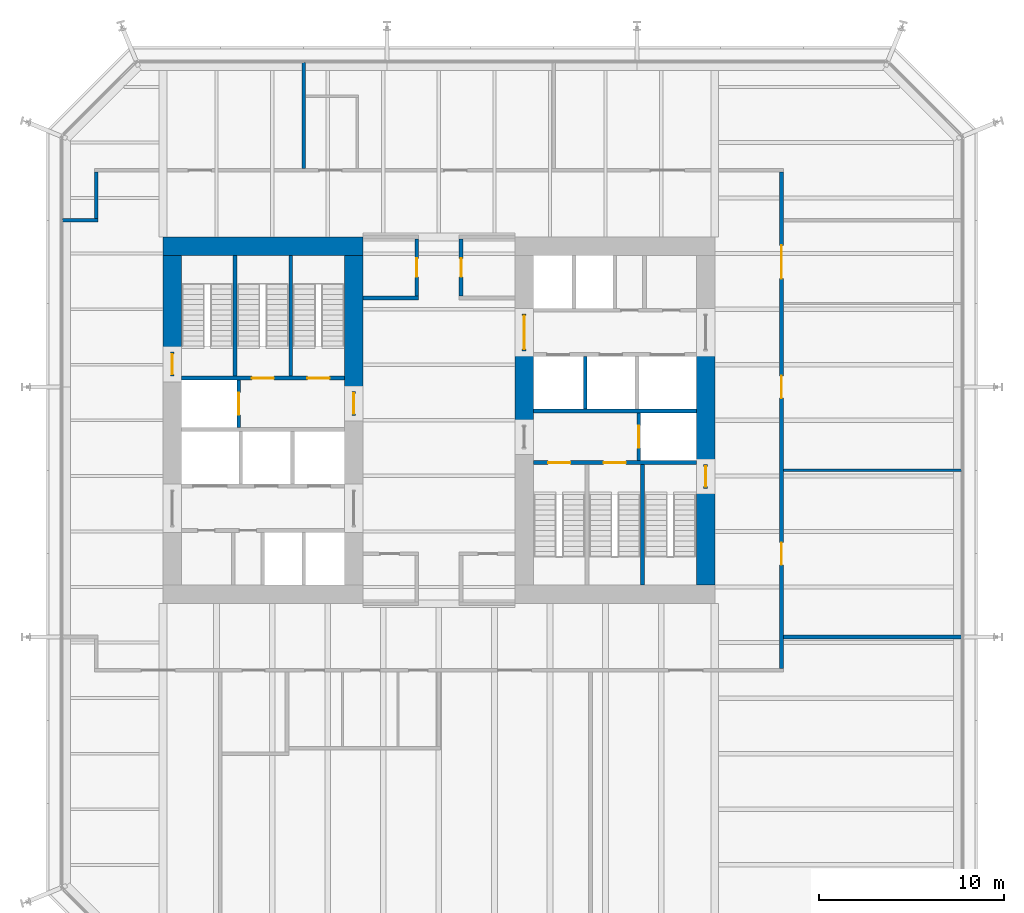
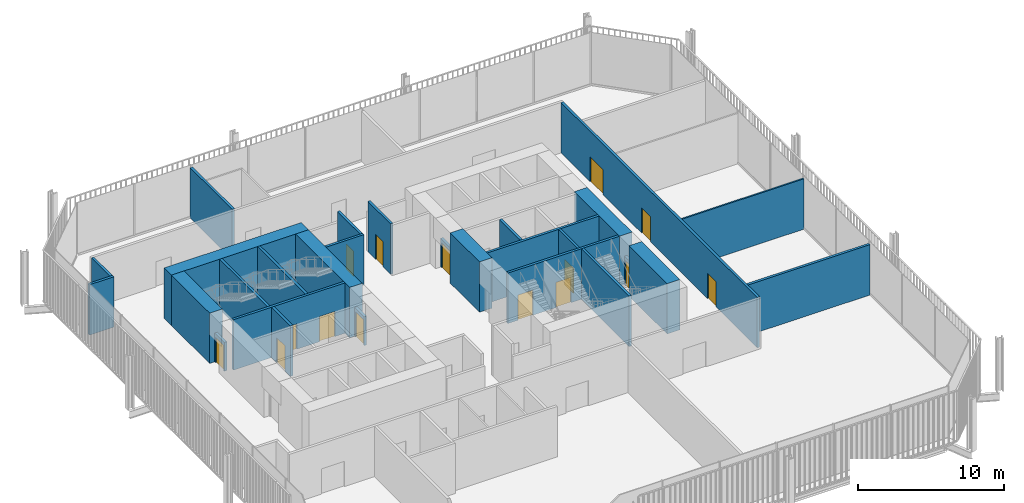
# One storey, part 17 of 20: 28 walls, 15 doors, 15 openings.
"""IFC4 building model written with IfcOpenShell, lengths in metres."""

import ifcopenshell
import ifcopenshell.guid

model = None  # the IFC model being written
_history = None  # IfcOwnerHistory: only IFC2X3 demands one
_inside = {}  # id of a spatial element -> (the spatial element, [elements in it])
_under = {}  # id of a project, library or spatial element -> (it, [spatial elements below it])
_declared = {}  # id of a project -> (the project, [libraries it declares])
_typed = {}  # id of a type object -> (the type object, [elements of that type])
_made_of = {}  # id of a material, layer set ... -> (it, [elements and type objects made of it])


def new_model(schema):
    """Start an empty IFC model of exactly this schema.

    Asked for "IFC4X3", IfcOpenShell would pick the latest addendum, in which some entities
    have other attributes; the version numbers below select the first issue.
    IFC2X3 requires an IfcOwnerHistory on every rooted entity: one is made here for all.
    """
    global model, _history
    if schema == "IFC4X3":
        model = ifcopenshell.file(schema_version=(4, 3, 0, 0))
    else:
        model = ifcopenshell.file(schema=schema)
    _inside.clear()
    _under.clear()
    _declared.clear()
    _typed.clear()
    _made_of.clear()
    _history = None
    if model.schema == "IFC2X3":
        org = make("IfcOrganization", Name="unknown")
        user = make(
            "IfcPersonAndOrganization",
            ThePerson=make("IfcPerson", FamilyName="unknown"),
            TheOrganization=org,
        )
        app = make(
            "IfcApplication",
            ApplicationDeveloper=org,
            Version="unknown",
            ApplicationFullName="unknown",
            ApplicationIdentifier="unknown",
        )
        _history = make(
            "IfcOwnerHistory",
            OwningUser=user,
            OwningApplication=app,
            ChangeAction="ADDED",
            CreationDate=0,
        )
    return model


def make(cls, **values):
    """One entity of the class cls with the attributes given. An attribute that is None is left unset."""
    return model.create_entity(
        cls, **{name: value for name, value in values.items() if value is not None}
    )


def rooted(cls, **values):
    """An entity with a GlobalId (a new one), such as an element, a storey or a relation."""
    return make(cls, GlobalId=ifcopenshell.guid.new(), OwnerHistory=_history, **values)


def si_unit(unit_type, name, prefix=None):
    """IfcSIUnit, for example si_unit("LENGTHUNIT", "METRE", prefix="MILLI")."""
    return make("IfcSIUnit", UnitType=unit_type, Prefix=prefix, Name=name)


def assignment(units):
    """IfcUnitAssignment: the units of a project."""
    return None if units is None else make("IfcUnitAssignment", Units=units)


def point(xyz):
    """IfcCartesianPoint."""
    return None if xyz is None else make("IfcCartesianPoint", Coordinates=xyz)


def direction(xyz):
    """IfcDirection."""
    return None if xyz is None else make("IfcDirection", DirectionRatios=xyz)


def frame(location, z_axis=None, x_axis=None):
    """IfcAxis2Placement3D, a coordinate frame: its origin and axes. An axis left out is left unset."""
    return make(
        "IfcAxis2Placement3D",
        Location=point(location),
        Axis=direction(z_axis),
        RefDirection=direction(x_axis),
    )


def frame_2d(location, x_axis=None):
    """IfcAxis2Placement2D, a coordinate frame in the plane: its origin and x axis."""
    return make(
        "IfcAxis2Placement2D", Location=point(location), RefDirection=direction(x_axis)
    )


def origin():
    """The frame at (0, 0, 0) with its axes left unset."""
    return frame((0.0, 0.0, 0.0))


def place(relative_to, where):
    """IfcLocalPlacement: puts the frame where relative to a parent placement (None: the world)."""
    return make(
        "IfcLocalPlacement", PlacementRelTo=relative_to, RelativePlacement=where
    )


def context(
    kind, dimensions, precision=None, world=None, true_north=None, identifier=None
):
    """IfcGeometricRepresentationContext, for example the 3D "Model" context."""
    return make(
        "IfcGeometricRepresentationContext",
        ContextIdentifier=identifier,
        ContextType=kind,
        CoordinateSpaceDimension=dimensions,
        Precision=precision,
        WorldCoordinateSystem=world,
        TrueNorth=true_north,
    )


def subcontext(parent, identifier, kind, view, scale=None):
    """IfcGeometricRepresentationSubContext, for example "Body" below "Model"."""
    return make(
        "IfcGeometricRepresentationSubContext",
        ContextIdentifier=identifier,
        ContextType=kind,
        ParentContext=parent,
        TargetScale=scale,
        TargetView=view,
    )


def project(units=None, contexts=None):
    """IfcProject with its units and contexts."""
    return rooted(
        "IfcProject",
        Name="project",
        RepresentationContexts=contexts,
        UnitsInContext=assignment(units),
    )


def spatial(cls, under=None, at=None, **own):
    """A site, building, storey or space (cls), placed at a placement, below another one or the project."""
    s = rooted(cls, ObjectPlacement=at, **own)
    if under is not None:
        _under.setdefault(under.id(), (under, []))[1].append(s)
    return s


def profile(cls, at=None, kind="AREA", **sizes):
    """A parametric profile (cls). Its sizes go by their IFC names, for example OverallWidth=200.0."""
    return make(cls, ProfileType=kind, Position=at, **sizes)


def rectangle(**sizes):
    """IfcRectangleProfileDef."""
    return profile("IfcRectangleProfileDef", **sizes)


def extrude(swept, where, along, depth):
    """IfcExtrudedAreaSolid: the profile swept, set in the frame where, extruded along a direction by depth."""
    return make(
        "IfcExtrudedAreaSolid",
        SweptArea=swept,
        Position=where,
        ExtrudedDirection=direction(along),
        Depth=depth,
    )


def shape(context_of_items, identifier, shape_type, items):
    """IfcShapeRepresentation: the items that make up one representation, for example the "Body"."""
    return make(
        "IfcShapeRepresentation",
        ContextOfItems=context_of_items,
        RepresentationIdentifier=identifier,
        RepresentationType=shape_type,
        Items=items,
    )


def material(Name=None, Category=None):
    """IfcMaterial."""
    return make("IfcMaterial", Name=Name, Category=Category)


def layer(
    of_material, thickness, ventilated=None, Name=None, Category=None, Priority=None
):
    """IfcMaterialLayer: one layer of a wall or slab, of a material (None: an air gap)."""
    return make(
        "IfcMaterialLayer",
        Material=of_material,
        LayerThickness=thickness,
        IsVentilated=ventilated,
        Name=Name,
        Category=Category,
        Priority=Priority,
    )


def layer_set(layers, Name=None):
    """IfcMaterialLayerSet."""
    return make("IfcMaterialLayerSet", MaterialLayers=layers, LayerSetName=Name)


def made_of(thing, what):
    """Note that an element or type object is made of a material, layer set ...; save() writes the relation."""
    if what is not None:
        _made_of.setdefault(what.id(), (what, []))[1].append(thing)
    return thing


def type_object(cls, material=None, **own):
    """A type object (cls), such as IfcWallType, which elements share."""
    return made_of(rooted(cls, **own), material)


def element(
    cls,
    number,
    at=None,
    inside=None,
    cuts=None,
    type_object=None,
    material=None,
    context=None,
    identifier="Body",
    shape_type=None,
    held_by="IfcProductDefinitionShape",
    body=None,
    shapes=None,
    **own,
):
    """One element of the class cls, such as IfcWall. Its Tag is "e" and its number.

    at: its placement. inside: the storey or other place that contains it. cuts: it is an
    opening in that element (IfcRelVoidsElement). A single representation is given by context,
    identifier, shape_type and body (its items); several are given by shapes. held_by: the class
    of the entity that holds the representations. save() writes the other relations.
    """
    e = rooted(cls, Tag="e%d" % number, ObjectPlacement=at, **own)
    if body is not None:
        shapes = [shape(context, identifier, shape_type, body)]
    if shapes is not None:
        e.Representation = make(held_by, Representations=shapes)
    if inside is not None:
        _inside.setdefault(inside.id(), (inside, []))[1].append(e)
    if cuts is not None:
        rooted(
            "IfcRelVoidsElement", RelatingBuildingElement=cuts, RelatedOpeningElement=e
        )
    if type_object is not None:
        _typed.setdefault(type_object.id(), (type_object, []))[1].append(e)
    return made_of(e, material)


def fill(opening, filler):
    """IfcRelFillsElement: the door or window that sits in an opening."""
    return rooted(
        "IfcRelFillsElement",
        RelatingOpeningElement=opening,
        RelatedBuildingElement=filler,
    )


def aggregate(whole, parts):
    """IfcRelAggregates: a whole, such as a stair, and the parts it consists of."""
    return rooted("IfcRelAggregates", RelatingObject=whole, RelatedObjects=parts)


def save(model, path):
    """Write the relations noted so far, then the file.

    IfcRelAggregates (storeys below a building ...), IfcRelContainedInSpatialStructure (elements
    in a storey), IfcRelDefinesByType, IfcRelAssociatesMaterial and IfcRelDeclares: one each for
    every whole, place, type object, material and project.
    """
    for whole, parts in _under.values():
        aggregate(whole, parts)
    for where, things in _inside.values():
        rooted(
            "IfcRelContainedInSpatialStructure",
            RelatedElements=things,
            RelatingStructure=where,
        )
    for kind, things in _typed.values():
        rooted("IfcRelDefinesByType", RelatedObjects=things, RelatingType=kind)
    for what, things in _made_of.values():
        rooted("IfcRelAssociatesMaterial", RelatedObjects=things, RelatingMaterial=what)
    for by, libraries in _declared.values():
        rooted("IfcRelDeclares", RelatingContext=by, RelatedDefinitions=libraries)
    model.write(path)


model = new_model("IFC4")

# Units and contexts
model_context = context("Model", 3, precision=1e-05, world=origin(), true_north=direction((0.0, 1.0)))
body_context = subcontext(model_context, "Body", "Model", "MODEL_VIEW")
ifc_project = project(units=[si_unit("LENGTHUNIT", "METRE"), si_unit("AREAUNIT", "SQUARE_METRE"), si_unit("VOLUMEUNIT", "CUBIC_METRE"), si_unit("PLANEANGLEUNIT", "RADIAN"), si_unit("MASSUNIT", "GRAM", prefix="KILO")], contexts=[model_context])

# Site, building, storey
site_placement = place(None, origin())
site = spatial("IfcSite", under=ifc_project, at=site_placement, CompositionType="ELEMENT")
building_placement = place(site_placement, origin())
building = spatial("IfcBuilding", under=site, at=building_placement, Name="Millrace Tower", CompositionType="ELEMENT")
storey_placement = place(building_placement, frame((0.0, 0.0, 86.39990234375)))
storey = spatial("IfcBuildingStorey", under=building, at=storey_placement, Name="L19", CompositionType="ELEMENT", Elevation=86.39990234375)

# Walls
ifc_material_1 = material(Name="Concrete C80", Category="concrete")
ifc_layer_1 = layer(ifc_material_1, 1.0)
ifc_layer_set_1 = layer_set([ifc_layer_1], Name="Concrete C80")
wall_type_1 = type_object("IfcWallType", Name="Core wall 1000 Concrete C80", PredefinedType="SHEAR", material=ifc_layer_set_1)
wall_1_placement = place(storey_placement, frame((-14.89990234375, 9.39990234375, 0.0), z_axis=(0.0, 0.0, 1.0), x_axis=(1.0, 0.0, 0.0)))
element("IfcWall", 1, at=wall_1_placement, inside=storey, type_object=wall_type_1, Name="Core wall W L19", PredefinedType="SHEAR", context=body_context, shape_type="SweptSolid", body=[
    extrude(rectangle(XDim=10.7998046875, YDim=1.0, at=frame_2d((5.39990234375, 0.0))), origin(), (0.0, 0.0, 1.0), 4.2001953125),
])
wall_2_placement = place(storey_placement, frame((-14.39990234375, 3.679931640625, 0.0), z_axis=(0.0, 0.0, 1.0), x_axis=(0.0, 1.0, 0.0)))
element("IfcWall", 2, at=wall_2_placement, inside=storey, type_object=wall_type_1, Name="Core wall W L19", PredefinedType="SHEAR", context=body_context, shape_type="SweptSolid", body=[
    extrude(rectangle(XDim=5.219970703125, YDim=1.0, at=frame_2d((2.60986328125, 0.0))), origin(), (0.0, 0.0, 1.0), 4.2001953125),
])
wall_3_placement = place(storey_placement, frame((-4.60009765625, 1.550048828125, 0.0), z_axis=(0.0, 0.0, 1.0), x_axis=(0.0, 1.0, 0.0)))
element("IfcWall", 3, at=wall_3_placement, inside=storey, type_object=wall_type_1, Name="Core wall W L19", PredefinedType="SHEAR", context=body_context, shape_type="SweptSolid", body=[
    extrude(rectangle(XDim=7.349853515625, YDim=1.0, at=frame_2d((3.6748046875, 0.0))), origin(), (0.0, 0.0, 1.0), 4.2001953125),
])
wall_4_placement = place(storey_placement, frame((14.39990234375, 3.75, 0.0), z_axis=(0.0, 0.0, 1.0), x_axis=(0.0, -1.0, 0.0)))
element("IfcWall", 4, at=wall_4_placement, inside=storey, type_object=wall_type_1, Name="Core wall E L19", PredefinedType="SHEAR", context=body_context, shape_type="SweptSolid", body=[
    extrude(rectangle(XDim=6.1298828125, YDim=1.0, at=frame_2d((3.06494140625, 0.0))), origin(), (0.0, 0.0, 1.0), 4.2001953125),
])
wall_5_placement = place(storey_placement, frame((14.39990234375, -3.679931640625, 0.0), z_axis=(0.0, 0.0, 1.0), x_axis=(0.0, -1.0, 0.0)))
element("IfcWall", 5, at=wall_5_placement, inside=storey, type_object=wall_type_1, Name="Core wall E L19", PredefinedType="SHEAR", context=body_context, shape_type="SweptSolid", body=[
    extrude(rectangle(XDim=5.219970703125, YDim=1.0, at=frame_2d((2.60986328125, 0.0))), origin(), (0.0, 0.0, 1.0), 4.2001953125),
])
wall_6_placement = place(storey_placement, frame((4.60009765625, 3.75, 0.0), z_axis=(0.0, 0.0, 1.0), x_axis=(0.0, -1.0, 0.0)))
element("IfcWall", 6, at=wall_6_placement, inside=storey, type_object=wall_type_1, Name="Core wall E L19", PredefinedType="SHEAR", context=body_context, shape_type="SweptSolid", body=[
    extrude(rectangle(XDim=4.0, YDim=1.0, at=frame_2d((2.0, 0.0))), origin(), (0.0, 0.0, 1.0), 4.2001953125),
])
ifc_material_2 = material(Name="Masonry partition, fire-rated", Category="masonry")
ifc_layer_2 = layer(ifc_material_2, 0.199951171875)
ifc_layer_set_2 = layer_set([ifc_layer_2], Name="Masonry partition, fire-rated")
wall_type_2 = type_object("IfcWallType", Name="Corridor wall 200", PredefinedType="PARTITIONING", material=ifc_layer_set_2)
wall_7_placement = place(storey_placement, frame((18.60009765625, -11.699951171875, 0.0), z_axis=(0.0, 0.0, 1.0), x_axis=(1.0, 0.0, 0.0)))
element("IfcWall", 7, at=wall_7_placement, inside=storey, type_object=wall_type_2, Name="Corridor wall L19", PredefinedType="PARTITIONING", context=body_context, shape_type="SweptSolid", body=[
    extrude(rectangle(XDim=9.6298828125, YDim=0.199951171875, at=frame_2d((4.81494140625, 0.0))), origin(), (0.0, 0.0, 1.0), 4.2001953125),
])
wall_8_placement = place(storey_placement, frame((-4.10009765625, 6.60009765625, 0.0), z_axis=(0.0, 0.0, 1.0), x_axis=(1.0, 0.0, 0.0)))
element("IfcWall", 8, at=wall_8_placement, inside=storey, type_object=wall_type_2, Name="Corridor wall L19", PredefinedType="PARTITIONING", context=body_context, shape_type="SweptSolid", body=[
    extrude(rectangle(XDim=3.0, YDim=0.199951171875, at=frame_2d((1.5, 0.0))), origin(), (0.0, 0.0, 1.0), 4.2001953125),
])
wall_9_placement = place(storey_placement, frame((-20.330078125, 10.800048828125, 0.0), z_axis=(0.0, 0.0, 1.0), x_axis=(1.0, 0.0, 0.0)))
element("IfcWall", 9, at=wall_9_placement, inside=storey, type_object=wall_type_2, Name="Corridor wall L19", PredefinedType="PARTITIONING", context=body_context, shape_type="SweptSolid", body=[
    extrude(rectangle(XDim=1.93017578125, YDim=0.199951171875, at=frame_2d((0.965087890625, 0.0))), origin(), (0.0, 0.0, 1.0), 4.2001953125),
])

# Wall, openings, doors
wall_10_placement = place(storey_placement, frame((18.5, -13.39990234375, 0.0), z_axis=(0.0, 0.0, 1.0), x_axis=(0.0, 1.0, 0.0)))
wall_10 = element("IfcWall", 10, at=wall_10_placement, inside=storey, type_object=wall_type_2, Name="Corridor wall L19", PredefinedType="PARTITIONING", context=body_context, shape_type="SweptSolid", body=[
    extrude(rectangle(XDim=26.7998046875, YDim=0.199951171875, at=frame_2d((13.39990234375, 0.0))), origin(), (0.0, 0.0, 1.0), 4.2001953125),
])
opening_1_placement = place(wall_10_placement, frame((5.60009765625, 0.0, 0.0)))
opening_1 = element("IfcOpeningElement", 11, at=opening_1_placement, cuts=wall_10, Name="Opening 19-P013", PredefinedType="OPENING", context=body_context, shape_type="SweptSolid", body=[
    extrude(rectangle(XDim=1.199951171875, YDim=2.10009765625, at=frame_2d((0.60009765625, 1.050048828125))), frame((0.0, 0.10986328125, 0.0), z_axis=(0.0, -1.0, 0.0), x_axis=(1.0, 0.0, 0.0)), (0.0, 0.0, 1.0), 0.219970703125),
])
opening_2_placement = place(wall_10_placement, frame((14.60009765625, 0.0, 0.0)))
opening_2 = element("IfcOpeningElement", 12, at=opening_2_placement, cuts=wall_10, Name="Opening 19-P014", PredefinedType="OPENING", context=body_context, shape_type="SweptSolid", body=[
    extrude(rectangle(XDim=1.199951171875, YDim=2.10009765625, at=frame_2d((0.60009765625, 1.050048828125))), frame((0.0, 0.10986328125, 0.0), z_axis=(0.0, -1.0, 0.0), x_axis=(1.0, 0.0, 0.0)), (0.0, 0.0, 1.0), 0.219970703125),
])
opening_3_placement = place(wall_10_placement, frame((21.050048828125, 0.0, 0.0)))
opening_3 = element("IfcOpeningElement", 13, at=opening_3_placement, cuts=wall_10, Name="Opening 19-P015", PredefinedType="OPENING", context=body_context, shape_type="SweptSolid", body=[
    extrude(rectangle(XDim=1.800048828125, YDim=2.10009765625, at=frame_2d((0.89990234375, 1.050048828125))), frame((0.0, 0.10986328125, 0.0), z_axis=(0.0, -1.0, 0.0), x_axis=(1.0, 0.0, 0.0)), (0.0, 0.0, 1.0), 0.219970703125),
])
ifc_material_3 = material(Name="Steel door set, fire-rated", Category="steel")
door_type_1 = type_object("IfcDoorType", Name="Corridor door 1200 x 2100", OperationType="SINGLE_SWING_LEFT", PredefinedType="DOOR", material=ifc_material_3)
door_1_placement = place(opening_1_placement, frame((1.199951171875, 0.0, 0.0), z_axis=(0.0, 0.0, 1.0), x_axis=(-1.0, 0.0, 0.0)))
door_1 = element("IfcDoor", 14, at=door_1_placement, inside=storey, type_object=door_type_1, Name="Door 19-P013", OperationType="SINGLE_SWING_RIGHT", OverallHeight=2.10009765625, OverallWidth=1.199951171875, PredefinedType="DOOR", context=body_context, shape_type="SweptSolid", body=[
    extrude(rectangle(XDim=1.199951171875, YDim=2.10009765625, at=frame_2d((0.60009765625, 1.050048828125))), frame((0.0, 0.02490234375, 0.0), z_axis=(0.0, -1.0, 0.0), x_axis=(1.0, 0.0, 0.0)), (0.0, 0.0, 1.0), 0.050048828125),
])
fill(opening_1, door_1)
door_2_placement = place(opening_2_placement, frame((1.199951171875, 0.0, 0.0), z_axis=(0.0, 0.0, 1.0), x_axis=(-1.0, 0.0, 0.0)))
door_2 = element("IfcDoor", 15, at=door_2_placement, inside=storey, type_object=door_type_1, Name="Door 19-P014", OperationType="SINGLE_SWING_LEFT", OverallHeight=2.10009765625, OverallWidth=1.199951171875, PredefinedType="DOOR", context=body_context, shape_type="SweptSolid", body=[
    extrude(rectangle(XDim=1.199951171875, YDim=2.10009765625, at=frame_2d((0.60009765625, 1.050048828125))), frame((0.0, 0.02490234375, 0.0), z_axis=(0.0, -1.0, 0.0), x_axis=(1.0, 0.0, 0.0)), (0.0, 0.0, 1.0), 0.050048828125),
])
fill(opening_2, door_2)
ifc_material_4 = material(Name="Steel door set, fire-rated", Category="steel")
door_type_2 = type_object("IfcDoorType", Name="Corridor door 1800 x 2100", OperationType="DOUBLE_DOOR_SINGLE_SWING", PredefinedType="DOOR", material=ifc_material_4)
door_3_placement = place(opening_3_placement, frame((1.800048828125, 0.0, 0.0), z_axis=(0.0, 0.0, 1.0), x_axis=(-1.0, 0.0, 0.0)))
door_3 = element("IfcDoor", 16, at=door_3_placement, inside=storey, type_object=door_type_2, Name="Door 19-P015", OperationType="DOUBLE_DOOR_SINGLE_SWING", OverallHeight=2.10009765625, OverallWidth=1.800048828125, PredefinedType="DOOR", context=body_context, shape_type="SweptSolid", body=[
    extrude(rectangle(XDim=1.800048828125, YDim=2.10009765625, at=frame_2d((0.89990234375, 1.050048828125))), frame((0.0, 0.02490234375, 0.0), z_axis=(0.0, -1.0, 0.0), x_axis=(1.0, 0.0, 0.0)), (0.0, 0.0, 1.0), 0.050048828125),
])
fill(opening_3, door_3)

# Wall, opening, door
wall_11_placement = place(storey_placement, frame((1.199951171875, 6.699951171875, 0.0), z_axis=(0.0, 0.0, 1.0), x_axis=(0.0, 1.0, 0.0)))
wall_11 = element("IfcWall", 17, at=wall_11_placement, inside=storey, type_object=wall_type_2, Name="Corridor wall L19", PredefinedType="PARTITIONING", context=body_context, shape_type="SweptSolid", body=[
    extrude(rectangle(XDim=3.10009765625, YDim=0.199951171875, at=frame_2d((1.550048828125, 0.0))), origin(), (0.0, 0.0, 1.0), 4.2001953125),
])
opening_4_placement = place(wall_11_placement, frame((1.050048828125, 0.0, 0.0)))
opening_4 = element("IfcOpeningElement", 18, at=opening_4_placement, cuts=wall_11, Name="Opening 19-P002", PredefinedType="OPENING", context=body_context, shape_type="SweptSolid", body=[
    extrude(rectangle(XDim=1.0, YDim=2.10009765625, at=frame_2d((0.5, 1.050048828125))), frame((0.0, 0.10986328125, 0.0), z_axis=(0.0, -1.0, 0.0), x_axis=(1.0, 0.0, 0.0)), (0.0, 0.0, 1.0), 0.219970703125),
])
ifc_material_5 = material(Name="Steel door set, fire-rated", Category="steel")
door_type_3 = type_object("IfcDoorType", Name="Corridor door 1000 x 2100", OperationType="SINGLE_SWING_LEFT", PredefinedType="DOOR", material=ifc_material_5)
door_4_placement = place(opening_4_placement, frame((1.0, 0.0, 0.0), z_axis=(0.0, 0.0, 1.0), x_axis=(-1.0, 0.0, 0.0)))
door_4 = element("IfcDoor", 19, at=door_4_placement, inside=storey, type_object=door_type_3, Name="Door 19-P002", OperationType="SINGLE_SWING_RIGHT", OverallHeight=2.10009765625, OverallWidth=1.0, PredefinedType="DOOR", context=body_context, shape_type="SweptSolid", body=[
    extrude(rectangle(XDim=1.0, YDim=2.10009765625, at=frame_2d((0.5, 1.050048828125))), frame((0.0, 0.02490234375, 0.0), z_axis=(0.0, -1.0, 0.0), x_axis=(1.0, 0.0, 0.0)), (0.0, 0.0, 1.0), 0.050048828125),
])
fill(opening_4, door_4)

wall_12_placement = place(storey_placement, frame((-1.199951171875, 6.699951171875, 0.0), z_axis=(0.0, 0.0, 1.0), x_axis=(0.0, 1.0, 0.0)))
wall_12 = element("IfcWall", 20, at=wall_12_placement, inside=storey, type_object=wall_type_2, Name="Corridor wall L19", PredefinedType="PARTITIONING", context=body_context, shape_type="SweptSolid", body=[
    extrude(rectangle(XDim=3.10009765625, YDim=0.199951171875, at=frame_2d((1.550048828125, 0.0))), origin(), (0.0, 0.0, 1.0), 4.2001953125),
])
opening_5_placement = place(wall_12_placement, frame((1.050048828125, 0.0, 0.0)))
opening_5 = element("IfcOpeningElement", 21, at=opening_5_placement, cuts=wall_12, Name="Opening 19-P001", PredefinedType="OPENING", context=body_context, shape_type="SweptSolid", body=[
    extrude(rectangle(XDim=1.0, YDim=2.10009765625, at=frame_2d((0.5, 1.050048828125))), frame((0.0, 0.10986328125, 0.0), z_axis=(0.0, -1.0, 0.0), x_axis=(1.0, 0.0, 0.0)), (0.0, 0.0, 1.0), 0.219970703125),
])
door_5_placement = place(opening_5_placement, origin())
door_5 = element("IfcDoor", 22, at=door_5_placement, inside=storey, type_object=door_type_3, Name="Door 19-P001", OperationType="SINGLE_SWING_LEFT", OverallHeight=2.10009765625, OverallWidth=1.0, PredefinedType="DOOR", context=body_context, shape_type="SweptSolid", body=[
    extrude(rectangle(XDim=1.0, YDim=2.10009765625, at=frame_2d((0.5, 1.050048828125))), frame((0.0, 0.02490234375, 0.0), z_axis=(0.0, -1.0, 0.0), x_axis=(1.0, 0.0, 0.0)), (0.0, 0.0, 1.0), 0.050048828125),
])
fill(opening_5, door_5)

# Walls
wall_13_placement = place(storey_placement, frame((-7.300048828125, 13.60009765625, 0.0), z_axis=(0.0, 0.0, 1.0), x_axis=(0.0, 1.0, 0.0)))
element("IfcWall", 23, at=wall_13_placement, inside=storey, type_object=wall_type_2, Name="Corridor wall L19", PredefinedType="PARTITIONING", context=body_context, shape_type="SweptSolid", body=[
    extrude(rectangle(XDim=5.72998046875, YDim=0.199951171875, at=frame_2d((2.864990234375, 0.0))), origin(), (0.0, 0.0, 1.0), 4.2001953125),
])
wall_14_placement = place(storey_placement, frame((-18.5, 10.89990234375, 0.0), z_axis=(0.0, 0.0, 1.0), x_axis=(0.0, 1.0, 0.0)))
element("IfcWall", 24, at=wall_14_placement, inside=storey, type_object=wall_type_2, Name="Corridor wall L19", PredefinedType="PARTITIONING", context=body_context, shape_type="SweptSolid", body=[
    extrude(rectangle(XDim=2.5, YDim=0.199951171875, at=frame_2d((1.25, 0.0))), origin(), (0.0, 0.0, 1.0), 4.2001953125),
])

# Wall, opening, door
ifc_material_6 = material(Name="Masonry partition, fire-rated", Category="masonry")
ifc_layer_3 = layer(ifc_material_6, 0.199951171875)
ifc_layer_set_3 = layer_set([ifc_layer_3], Name="Masonry partition, fire-rated")
wall_type_3 = type_object("IfcWallType", Name="Lift shaft wall 200", PredefinedType="PARTITIONING", material=ifc_layer_set_3)
wall_15_placement = place(storey_placement, frame((-10.800048828125, -0.39990234375, 0.0), z_axis=(0.0, 0.0, 1.0), x_axis=(0.0, 1.0, 0.0)))
wall_15 = element("IfcWall", 25, at=wall_15_placement, inside=storey, type_object=wall_type_3, Name="Lift shaft wall W L19", PredefinedType="PARTITIONING", context=body_context, shape_type="SweptSolid", body=[
    extrude(rectangle(XDim=2.579833984375, YDim=0.199951171875, at=frame_2d((1.2900390625, 0.0))), origin(), (0.0, 0.0, 1.0), 4.2001953125),
])
opening_6_placement = place(wall_15_placement, frame((0.68994140625, 0.0, 0.0)))
opening_6 = element("IfcOpeningElement", 26, at=opening_6_placement, cuts=wall_15, Name="Opening 19-LD08", PredefinedType="OPENING", context=body_context, shape_type="SweptSolid", body=[
    extrude(rectangle(XDim=1.199951171875, YDim=2.10009765625, at=frame_2d((0.60009765625, 1.050048828125))), frame((0.0, 0.10986328125, 0.0), z_axis=(0.0, -1.0, 0.0), x_axis=(1.0, 0.0, 0.0)), (0.0, 0.0, 1.0), 0.219970703125),
])
ifc_material_7 = material(Name="Stainless steel, fire-rated", Category="steel")
door_type_4 = type_object("IfcDoorType", Name="Lift landing door 1200 x 2100", OperationType="DOUBLE_DOOR_SLIDING", PredefinedType="DOOR", material=ifc_material_7)
door_6_placement = place(opening_6_placement, origin())
door_6 = element("IfcDoor", 27, at=door_6_placement, inside=storey, type_object=door_type_4, Name="Lift landing door LF8 L19", OperationType="DOUBLE_DOOR_SLIDING", OverallHeight=2.10009765625, OverallWidth=1.199951171875, PredefinedType="DOOR", context=body_context, shape_type="SweptSolid", body=[
    extrude(rectangle(XDim=1.199951171875, YDim=2.10009765625, at=frame_2d((0.60009765625, 1.050048828125))), frame((0.0, 0.02490234375, 0.0), z_axis=(0.0, -1.0, 0.0), x_axis=(1.0, 0.0, 0.0)), (0.0, 0.0, 1.0), 0.050048828125),
])
fill(opening_6, door_6)

# Wall
wall_16_placement = place(storey_placement, frame((13.89990234375, 0.5, 0.0), z_axis=(0.0, 0.0, 1.0), x_axis=(-1.0, 0.0, 0.0)))
element("IfcWall", 28, at=wall_16_placement, inside=storey, type_object=wall_type_3, Name="Lift shaft wall E L19", PredefinedType="PARTITIONING", context=body_context, shape_type="SweptSolid", body=[
    extrude(rectangle(XDim=8.7998046875, YDim=0.199951171875, at=frame_2d((4.39990234375, 0.0))), origin(), (0.0, 0.0, 1.0), 4.2001953125),
])

# Wall, opening, door
wall_17_placement = place(storey_placement, frame((10.800048828125, 0.39990234375, 0.0), z_axis=(0.0, 0.0, 1.0), x_axis=(0.0, -1.0, 0.0)))
wall_17 = element("IfcWall", 29, at=wall_17_placement, inside=storey, type_object=wall_type_3, Name="Lift shaft wall E L19", PredefinedType="PARTITIONING", context=body_context, shape_type="SweptSolid", body=[
    extrude(rectangle(XDim=2.579833984375, YDim=0.199951171875, at=frame_2d((1.2900390625, 0.0))), origin(), (0.0, 0.0, 1.0), 4.2001953125),
])
opening_7_placement = place(wall_17_placement, frame((0.68994140625, 0.0, 0.0)))
opening_7 = element("IfcOpeningElement", 30, at=opening_7_placement, cuts=wall_17, Name="Opening 19-LD16", PredefinedType="OPENING", context=body_context, shape_type="SweptSolid", body=[
    extrude(rectangle(XDim=1.199951171875, YDim=2.10009765625, at=frame_2d((0.60009765625, 1.050048828125))), frame((0.0, 0.10986328125, 0.0), z_axis=(0.0, -1.0, 0.0), x_axis=(1.0, 0.0, 0.0)), (0.0, 0.0, 1.0), 0.219970703125),
])
door_7_placement = place(opening_7_placement, origin())
door_7 = element("IfcDoor", 31, at=door_7_placement, inside=storey, type_object=door_type_4, Name="Lift landing door LF16 L19", OperationType="DOUBLE_DOOR_SLIDING", OverallHeight=2.10009765625, OverallWidth=1.199951171875, PredefinedType="DOOR", context=body_context, shape_type="SweptSolid", body=[
    extrude(rectangle(XDim=1.199951171875, YDim=2.10009765625, at=frame_2d((0.60009765625, 1.050048828125))), frame((0.0, 0.02490234375, 0.0), z_axis=(0.0, -1.0, 0.0), x_axis=(1.0, 0.0, 0.0)), (0.0, 0.0, 1.0), 0.050048828125),
])
fill(opening_7, door_7)

# Wall
wall_18_placement = place(storey_placement, frame((7.89990234375, 3.449951171875, 0.0), z_axis=(0.0, 0.0, 1.0), x_axis=(0.0, -1.0, 0.0)))
element("IfcWall", 32, at=wall_18_placement, inside=storey, type_object=wall_type_3, Name="Lift shaft wall E L19", PredefinedType="PARTITIONING", context=body_context, shape_type="SweptSolid", body=[
    extrude(rectangle(XDim=2.849853515625, YDim=0.199951171875, at=frame_2d((1.4248046875, 0.0))), origin(), (0.0, 0.0, 1.0), 4.2001953125),
])

# Wall, opening, door
ifc_material_8 = material(Name="Masonry partition, fire-rated", Category="masonry")
ifc_layer_4 = layer(ifc_material_8, 0.199951171875)
ifc_layer_set_4 = layer_set([ifc_layer_4], Name="Masonry partition, fire-rated")
wall_type_4 = type_object("IfcWallType", Name="Lobby wall 200", PredefinedType="PARTITIONING", material=ifc_layer_set_4)
wall_19_placement = place(storey_placement, frame((-4.60009765625, 0.25, 0.0), z_axis=(0.0, 0.0, 1.0), x_axis=(0.0, 1.0, 0.0)))
wall_19 = element("IfcWall", 33, at=wall_19_placement, inside=storey, type_object=wall_type_4, Name="Lobby wall W L19", PredefinedType="PARTITIONING", context=body_context, shape_type="SweptSolid", body=[
    extrude(rectangle(XDim=1.300048828125, YDim=0.199951171875, at=frame_2d((0.64990234375, 0.0))), origin(), (0.0, 0.0, 1.0), 2.400146484375),
])
opening_8_placement = place(wall_19_placement, frame((0.10009765625, 0.0, 0.0)))
opening_8 = element("IfcOpeningElement", 34, at=opening_8_placement, cuts=wall_19, Name="Opening 19-C004", PredefinedType="OPENING", context=body_context, shape_type="SweptSolid", body=[
    extrude(rectangle(XDim=1.10009765625, YDim=2.10009765625, at=frame_2d((0.550048828125, 1.050048828125))), frame((0.0, 0.10986328125, 0.0), z_axis=(0.0, -1.0, 0.0), x_axis=(1.0, 0.0, 0.0)), (0.0, 0.0, 1.0), 0.219970703125),
])
ifc_material_9 = material(Name="Steel door, fire-rated", Category="steel")
door_type_5 = type_object("IfcDoorType", Name="Lobby door 1100 x 2100", OperationType="SINGLE_SWING_LEFT", PredefinedType="DOOR", material=ifc_material_9)
door_8_placement = place(opening_8_placement, origin())
door_8 = element("IfcDoor", 35, at=door_8_placement, inside=storey, type_object=door_type_5, Name="Lobby door 19-C004", OperationType="SINGLE_SWING_LEFT", OverallHeight=2.10009765625, OverallWidth=1.10009765625, PredefinedType="DOOR", context=body_context, shape_type="SweptSolid", body=[
    extrude(rectangle(XDim=1.10009765625, YDim=2.10009765625, at=frame_2d((0.550048828125, 1.050048828125))), frame((0.0, 0.02490234375, 0.0), z_axis=(0.0, -1.0, 0.0), x_axis=(1.0, 0.0, 0.0)), (0.0, 0.0, 1.0), 0.050048828125),
])
fill(opening_8, door_8)

wall_20_placement = place(storey_placement, frame((4.60009765625, 5.75, 0.0), z_axis=(0.0, 0.0, 1.0), x_axis=(0.0, -1.0, 0.0)))
wall_20 = element("IfcWall", 36, at=wall_20_placement, inside=storey, type_object=wall_type_4, Name="Lobby wall E L19", PredefinedType="PARTITIONING", context=body_context, shape_type="SweptSolid", body=[
    extrude(rectangle(XDim=2.0, YDim=0.199951171875, at=frame_2d((1.0, 0.0))), origin(), (0.0, 0.0, 1.0), 2.400146484375),
])
opening_9_placement = place(wall_20_placement, frame((0.10009765625, 0.0, 0.0)))
opening_9 = element("IfcOpeningElement", 37, at=opening_9_placement, cuts=wall_20, Name="Opening 19-C011", PredefinedType="OPENING", context=body_context, shape_type="SweptSolid", body=[
    extrude(rectangle(XDim=1.800048828125, YDim=2.10009765625, at=frame_2d((0.89990234375, 1.050048828125))), frame((0.0, 0.10986328125, 0.0), z_axis=(0.0, -1.0, 0.0), x_axis=(1.0, 0.0, 0.0)), (0.0, 0.0, 1.0), 0.219970703125),
])
ifc_material_10 = material(Name="Steel door, fire-rated", Category="steel")
door_type_6 = type_object("IfcDoorType", Name="Lobby door 1800 x 2100", OperationType="DOUBLE_DOOR_SINGLE_SWING", PredefinedType="DOOR", material=ifc_material_10)
door_9_placement = place(opening_9_placement, origin())
door_9 = element("IfcDoor", 38, at=door_9_placement, inside=storey, type_object=door_type_6, Name="Lobby door 19-C011", OperationType="DOUBLE_DOOR_SINGLE_SWING", OverallHeight=2.10009765625, OverallWidth=1.800048828125, PredefinedType="DOOR", context=body_context, shape_type="SweptSolid", body=[
    extrude(rectangle(XDim=1.800048828125, YDim=2.10009765625, at=frame_2d((0.89990234375, 1.050048828125))), frame((0.0, 0.02490234375, 0.0), z_axis=(0.0, -1.0, 0.0), x_axis=(1.0, 0.0, 0.0)), (0.0, 0.0, 1.0), 0.050048828125),
])
fill(opening_9, door_9)

# Wall
ifc_material_11 = material(Name="Gypsum board partition")
ifc_layer_5 = layer(ifc_material_11, 0.1201171875)
ifc_layer_set_5 = layer_set([ifc_layer_5], Name="Gypsum board partition")
wall_type_5 = type_object("IfcWallType", Name="Partition wall 120", PredefinedType="PARTITIONING", material=ifc_layer_set_5)
wall_21_placement = place(storey_placement, frame((18.60009765625, -2.699951171875, 0.0), z_axis=(0.0, 0.0, 1.0), x_axis=(1.0, 0.0, 0.0)))
element("IfcWall", 39, at=wall_21_placement, inside=storey, type_object=wall_type_5, Name="Partition wall L19", PredefinedType="PARTITIONING", context=body_context, shape_type="SweptSolid", body=[
    extrude(rectangle(XDim=9.6298828125, YDim=0.1201171875, at=frame_2d((4.81494140625, 0.0))), origin(), (0.0, 0.0, 1.0), 4.2001953125),
])

# Wall, opening, door
ifc_material_12 = material(Name="Concrete C40", Category="concrete")
ifc_layer_6 = layer(ifc_material_12, 0.199951171875)
ifc_layer_set_6 = layer_set([ifc_layer_6], Name="Concrete C40")
wall_type_6 = type_object("IfcWallType", Name="Stair enclosure wall 200 Concrete C40", PredefinedType="SHEAR", material=ifc_layer_set_6)
wall_22_placement = place(storey_placement, frame((-14.39990234375, 2.3798828125, 0.0), z_axis=(0.0, 0.0, 1.0), x_axis=(0.0, 1.0, 0.0)))
wall_22 = element("IfcWall", 40, at=wall_22_placement, inside=storey, type_object=wall_type_6, Name="Stair enclosure wall W L19", PredefinedType="SHEAR", context=body_context, shape_type="SweptSolid", body=[
    extrude(rectangle(XDim=1.300048828125, YDim=0.199951171875, at=frame_2d((0.64990234375, 0.0))), origin(), (0.0, 0.0, 1.0), 2.400146484375),
])
opening_10_placement = place(wall_22_placement, frame((0.10009765625, 0.0, 0.0)))
opening_10 = element("IfcOpeningElement", 41, at=opening_10_placement, cuts=wall_22, Name="Opening 19-C002", PredefinedType="OPENING", context=body_context, shape_type="SweptSolid", body=[
    extrude(rectangle(XDim=1.10009765625, YDim=2.10009765625, at=frame_2d((0.550048828125, 1.050048828125))), frame((0.0, 0.10986328125, 0.0), z_axis=(0.0, -1.0, 0.0), x_axis=(1.0, 0.0, 0.0)), (0.0, 0.0, 1.0), 0.219970703125),
])
ifc_material_13 = material(Name="Steel door, fire-rated", Category="steel")
door_type_7 = type_object("IfcDoorType", Name="Stair door 1100 x 2100", OperationType="SINGLE_SWING_LEFT", PredefinedType="DOOR", material=ifc_material_13)
door_10_placement = place(opening_10_placement, origin())
door_10 = element("IfcDoor", 42, at=door_10_placement, inside=storey, type_object=door_type_7, Name="Stair door 19-C002", OperationType="SINGLE_SWING_RIGHT", OverallHeight=2.10009765625, OverallWidth=1.10009765625, PredefinedType="DOOR", context=body_context, shape_type="SweptSolid", body=[
    extrude(rectangle(XDim=1.10009765625, YDim=2.10009765625, at=frame_2d((0.550048828125, 1.050048828125))), frame((0.0, 0.02490234375, 0.0), z_axis=(0.0, -1.0, 0.0), x_axis=(1.0, 0.0, 0.0)), (0.0, 0.0, 1.0), 0.050048828125),
])
fill(opening_10, door_10)

# Wall, openings, doors
wall_23_placement = place(storey_placement, frame((-13.89990234375, 2.280029296875, 0.0), z_axis=(0.0, 0.0, 1.0), x_axis=(1.0, 0.0, 0.0)))
wall_23 = element("IfcWall", 43, at=wall_23_placement, inside=storey, type_object=wall_type_6, Name="Stair enclosure wall W L19", PredefinedType="SHEAR", context=body_context, shape_type="SweptSolid", body=[
    extrude(rectangle(XDim=8.7998046875, YDim=0.199951171875, at=frame_2d((4.39990234375, 0.0))), origin(), (0.0, 0.0, 1.0), 4.2001953125),
])
opening_11_placement = place(wall_23_placement, frame((3.800048828125, 0.0, 0.0)))
opening_11 = element("IfcOpeningElement", 44, at=opening_11_placement, cuts=wall_23, Name="Opening 19-C007", PredefinedType="OPENING", context=body_context, shape_type="SweptSolid", body=[
    extrude(rectangle(XDim=1.199951171875, YDim=2.10009765625, at=frame_2d((0.60009765625, 1.050048828125))), frame((0.0, 0.10986328125, 0.0), z_axis=(0.0, -1.0, 0.0), x_axis=(1.0, 0.0, 0.0)), (0.0, 0.0, 1.0), 0.219970703125),
])
opening_12_placement = place(wall_23_placement, frame((6.800048828125, 0.0, 0.0)))
opening_12 = element("IfcOpeningElement", 45, at=opening_12_placement, cuts=wall_23, Name="Opening 19-C008", PredefinedType="OPENING", context=body_context, shape_type="SweptSolid", body=[
    extrude(rectangle(XDim=1.199951171875, YDim=2.10009765625, at=frame_2d((0.60009765625, 1.050048828125))), frame((0.0, 0.10986328125, 0.0), z_axis=(0.0, -1.0, 0.0), x_axis=(1.0, 0.0, 0.0)), (0.0, 0.0, 1.0), 0.219970703125),
])
ifc_material_14 = material(Name="Steel door, fire-rated", Category="steel")
door_type_8 = type_object("IfcDoorType", Name="Stair door 1200 x 2100", OperationType="SINGLE_SWING_LEFT", PredefinedType="DOOR", material=ifc_material_14)
door_11_placement = place(opening_11_placement, frame((1.199951171875, 0.0, 0.0), z_axis=(0.0, 0.0, 1.0), x_axis=(-1.0, 0.0, 0.0)))
door_11 = element("IfcDoor", 46, at=door_11_placement, inside=storey, type_object=door_type_8, Name="Stair door 19-C007", OperationType="SINGLE_SWING_LEFT", OverallHeight=2.10009765625, OverallWidth=1.199951171875, PredefinedType="DOOR", context=body_context, shape_type="SweptSolid", body=[
    extrude(rectangle(XDim=1.199951171875, YDim=2.10009765625, at=frame_2d((0.60009765625, 1.050048828125))), frame((0.0, 0.02490234375, 0.0), z_axis=(0.0, -1.0, 0.0), x_axis=(1.0, 0.0, 0.0)), (0.0, 0.0, 1.0), 0.050048828125),
])
fill(opening_11, door_11)
door_12_placement = place(opening_12_placement, frame((1.199951171875, 0.0, 0.0), z_axis=(0.0, 0.0, 1.0), x_axis=(-1.0, 0.0, 0.0)))
door_12 = element("IfcDoor", 47, at=door_12_placement, inside=storey, type_object=door_type_8, Name="Stair door 19-C008", OperationType="SINGLE_SWING_LEFT", OverallHeight=2.10009765625, OverallWidth=1.199951171875, PredefinedType="DOOR", context=body_context, shape_type="SweptSolid", body=[
    extrude(rectangle(XDim=1.199951171875, YDim=2.10009765625, at=frame_2d((0.60009765625, 1.050048828125))), frame((0.0, 0.02490234375, 0.0), z_axis=(0.0, -1.0, 0.0), x_axis=(1.0, 0.0, 0.0)), (0.0, 0.0, 1.0), 0.050048828125),
])
fill(opening_12, door_12)

# Walls
for number, where, z_axis, x_axis, name in (
    (48, (-11.0, 2.3798828125, 0.0), (0.0, 0.0, 1.0), (0.0, 1.0, 0.0), "Stair enclosure wall W L19"),
    (49, (-8.0, 2.3798828125, 0.0), (0.0, 0.0, 1.0), (0.0, 1.0, 0.0), "Stair enclosure wall W L19"),
):
    element("IfcWall", number, at=place(storey_placement, frame(where, z_axis=z_axis, x_axis=x_axis)), inside=storey, type_object=wall_type_6, Name=name, PredefinedType="SHEAR", context=body_context, shape_type="SweptSolid", body=[
        extrude(rectangle(XDim=6.52001953125, YDim=0.199951171875, at=frame_2d((3.260009765625, 0.0))), origin(), (0.0, 0.0, 1.0), 4.2001953125),
    ])

# Wall, opening, door
wall_24_placement = place(storey_placement, frame((14.39990234375, -2.3798828125, 0.0), z_axis=(0.0, 0.0, 1.0), x_axis=(0.0, -1.0, 0.0)))
wall_24 = element("IfcWall", 50, at=wall_24_placement, inside=storey, type_object=wall_type_6, Name="Stair enclosure wall E L19", PredefinedType="SHEAR", context=body_context, shape_type="SweptSolid", body=[
    extrude(rectangle(XDim=1.300048828125, YDim=0.199951171875, at=frame_2d((0.64990234375, 0.0))), origin(), (0.0, 0.0, 1.0), 2.400146484375),
])
opening_13_placement = place(wall_24_placement, frame((0.10009765625, 0.0, 0.0)))
opening_13 = element("IfcOpeningElement", 51, at=opening_13_placement, cuts=wall_24, Name="Opening 19-C010", PredefinedType="OPENING", context=body_context, shape_type="SweptSolid", body=[
    extrude(rectangle(XDim=1.10009765625, YDim=2.10009765625, at=frame_2d((0.550048828125, 1.050048828125))), frame((0.0, 0.10986328125, 0.0), z_axis=(0.0, -1.0, 0.0), x_axis=(1.0, 0.0, 0.0)), (0.0, 0.0, 1.0), 0.219970703125),
])
door_13_placement = place(opening_13_placement, origin())
door_13 = element("IfcDoor", 52, at=door_13_placement, inside=storey, type_object=door_type_7, Name="Stair door 19-C010", OperationType="SINGLE_SWING_RIGHT", OverallHeight=2.10009765625, OverallWidth=1.10009765625, PredefinedType="DOOR", context=body_context, shape_type="SweptSolid", body=[
    extrude(rectangle(XDim=1.10009765625, YDim=2.10009765625, at=frame_2d((0.550048828125, 1.050048828125))), frame((0.0, 0.02490234375, 0.0), z_axis=(0.0, -1.0, 0.0), x_axis=(1.0, 0.0, 0.0)), (0.0, 0.0, 1.0), 0.050048828125),
])
fill(opening_13, door_13)

# Wall, openings, doors
wall_25_placement = place(storey_placement, frame((13.89990234375, -2.280029296875, 0.0), z_axis=(0.0, 0.0, 1.0), x_axis=(-1.0, 0.0, 0.0)))
wall_25 = element("IfcWall", 53, at=wall_25_placement, inside=storey, type_object=wall_type_6, Name="Stair enclosure wall E L19", PredefinedType="SHEAR", context=body_context, shape_type="SweptSolid", body=[
    extrude(rectangle(XDim=8.7998046875, YDim=0.199951171875, at=frame_2d((4.39990234375, 0.0))), origin(), (0.0, 0.0, 1.0), 4.2001953125),
])
opening_14_placement = place(wall_25_placement, frame((3.800048828125, 0.0, 0.0)))
opening_14 = element("IfcOpeningElement", 54, at=opening_14_placement, cuts=wall_25, Name="Opening 19-C015", PredefinedType="OPENING", context=body_context, shape_type="SweptSolid", body=[
    extrude(rectangle(XDim=1.199951171875, YDim=2.10009765625, at=frame_2d((0.60009765625, 1.050048828125))), frame((0.0, 0.10986328125, 0.0), z_axis=(0.0, -1.0, 0.0), x_axis=(1.0, 0.0, 0.0)), (0.0, 0.0, 1.0), 0.219970703125),
])
opening_15_placement = place(wall_25_placement, frame((6.800048828125, 0.0, 0.0)))
opening_15 = element("IfcOpeningElement", 55, at=opening_15_placement, cuts=wall_25, Name="Opening 19-C016", PredefinedType="OPENING", context=body_context, shape_type="SweptSolid", body=[
    extrude(rectangle(XDim=1.199951171875, YDim=2.10009765625, at=frame_2d((0.60009765625, 1.050048828125))), frame((0.0, 0.10986328125, 0.0), z_axis=(0.0, -1.0, 0.0), x_axis=(1.0, 0.0, 0.0)), (0.0, 0.0, 1.0), 0.219970703125),
])
door_14_placement = place(opening_14_placement, frame((1.199951171875, 0.0, 0.0), z_axis=(0.0, 0.0, 1.0), x_axis=(-1.0, 0.0, 0.0)))
door_14 = element("IfcDoor", 56, at=door_14_placement, inside=storey, type_object=door_type_8, Name="Stair door 19-C015", OperationType="SINGLE_SWING_LEFT", OverallHeight=2.10009765625, OverallWidth=1.199951171875, PredefinedType="DOOR", context=body_context, shape_type="SweptSolid", body=[
    extrude(rectangle(XDim=1.199951171875, YDim=2.10009765625, at=frame_2d((0.60009765625, 1.050048828125))), frame((0.0, 0.02490234375, 0.0), z_axis=(0.0, -1.0, 0.0), x_axis=(1.0, 0.0, 0.0)), (0.0, 0.0, 1.0), 0.050048828125),
])
fill(opening_14, door_14)
door_15_placement = place(opening_15_placement, frame((1.199951171875, 0.0, 0.0), z_axis=(0.0, 0.0, 1.0), x_axis=(-1.0, 0.0, 0.0)))
door_15 = element("IfcDoor", 57, at=door_15_placement, inside=storey, type_object=door_type_8, Name="Stair door 19-C016", OperationType="SINGLE_SWING_LEFT", OverallHeight=2.10009765625, OverallWidth=1.199951171875, PredefinedType="DOOR", context=body_context, shape_type="SweptSolid", body=[
    extrude(rectangle(XDim=1.199951171875, YDim=2.10009765625, at=frame_2d((0.60009765625, 1.050048828125))), frame((0.0, 0.02490234375, 0.0), z_axis=(0.0, -1.0, 0.0), x_axis=(1.0, 0.0, 0.0)), (0.0, 0.0, 1.0), 0.050048828125),
])
fill(opening_15, door_15)

# Wall
wall_26_placement = place(storey_placement, frame((11.0, -2.3798828125, 0.0), z_axis=(0.0, 0.0, 1.0), x_axis=(0.0, -1.0, 0.0)))
element("IfcWall", 58, at=wall_26_placement, inside=storey, type_object=wall_type_6, Name="Stair enclosure wall E L19", PredefinedType="SHEAR", context=body_context, shape_type="SweptSolid", body=[
    extrude(rectangle(XDim=6.52001953125, YDim=0.199951171875, at=frame_2d((3.260009765625, 0.0))), origin(), (0.0, 0.0, 1.0), 4.2001953125),
])

save(model, "model.ifc")
